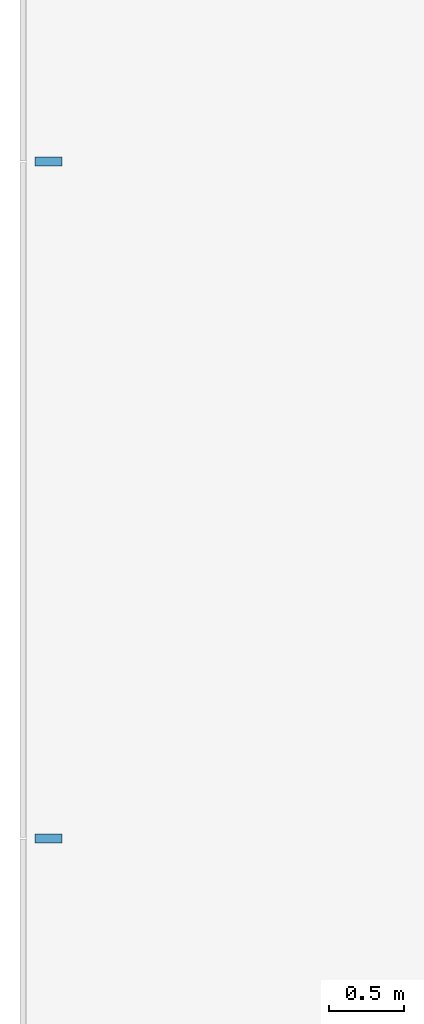
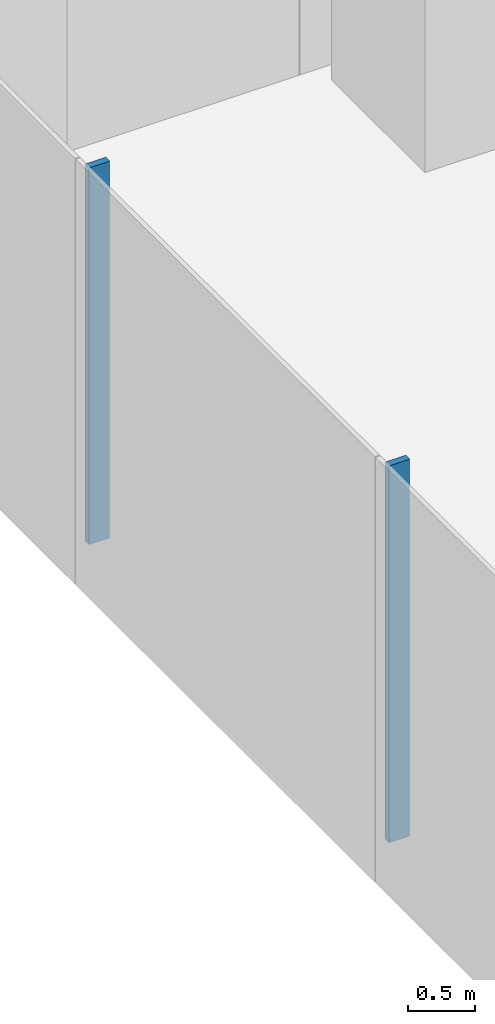
# One storey, part 4 of 21: 2 members, 1 element without a shape of its own.
"""IFC4 building model written with IfcOpenShell, lengths in metres."""

from ifc_helpers import new_model, si_unit, direction, frame, origin, origin_2d, place, context, subcontext, project, spatial, rectangle, extrude, material, layer, layer_set, material_profile, profile_set, type_object, element, aggregate, save


model = new_model("IFC4")

# Units and contexts
model_context = context("Model", 3, precision=1e-05, world=origin(), true_north=direction((0.0, 1.0)))
body_context = subcontext(model_context, "Body", "Model", "MODEL_VIEW")
ifc_project = project(units=[si_unit("LENGTHUNIT", "METRE"), si_unit("AREAUNIT", "SQUARE_METRE"), si_unit("VOLUMEUNIT", "CUBIC_METRE"), si_unit("PLANEANGLEUNIT", "RADIAN"), si_unit("MASSUNIT", "GRAM", prefix="KILO")], contexts=[model_context])

# Site, building, storey
site_placement = place(None, origin())
site = spatial("IfcSite", under=ifc_project, at=site_placement, CompositionType="ELEMENT")
building_placement = place(site_placement, origin())
building = spatial("IfcBuilding", under=site, at=building_placement, Name="Shamsa Quay Exchange Towers", CompositionType="ELEMENT")
storey_placement = place(building_placement, frame((0.0, 0.0, 61.5)))
storey = spatial("IfcBuildingStorey", under=building, at=storey_placement, Name="L13", CompositionType="ELEMENT", Elevation=61.5)

# Curtain wall, members
ifc_material = material(Name="Aluminium EN AW-6063 T6, black anodised", Category="aluminium")
ifc_layer = layer(ifc_material, 0.280029296875)
ifc_layer_set = layer_set([ifc_layer], Name="CW-1 UNITISED VISION GLASS")
curtain_wall_type = type_object("IfcCurtainWallType", Name="CW-1 UNITISED VISION GLASS", PredefinedType="NOTDEFINED", material=ifc_layer_set)
curtain_wall_placement = place(storey_placement, origin())
curtain_wall = element("IfcCurtainWall", 1, at=curtain_wall_placement, inside=storey, type_object=curtain_wall_type, Name="CW1 T1-END-U- L13", PredefinedType="NOTDEFINED")
ifc_material_profile = material_profile(ifc_material, rectangle(XDim=0.179931640625, YDim=0.06005859375, at=origin_2d()), Name="MU60x180")
ifc_profile_set = profile_set([ifc_material_profile], Name="Aluminium EN AW-6063 T6, black anodised")
member_type = type_object("IfcMemberType", Name="CW1 MULLION 60x180", PredefinedType="MULLION", material=ifc_profile_set)
member_1_placement = place(storey_placement, frame((-62.85009765625, 2.25, 0.0)))
member_1 = element("IfcMember", 2, at=member_1_placement, type_object=member_type, Name="CW1 mullion", PredefinedType="MULLION", context=body_context, shape_type="SweptSolid", body=[
    extrude(rectangle(XDim=0.179931640625, YDim=0.06005859375, at=origin_2d()), origin(), (0.0, 0.0, 1.0), 3.449951171875),
])
member_2_placement = place(storey_placement, frame((-62.85009765625, -2.25, 0.0)))
member_2 = element("IfcMember", 3, at=member_2_placement, type_object=member_type, Name="CW1 mullion", PredefinedType="MULLION", context=body_context, shape_type="SweptSolid", body=[
    extrude(rectangle(XDim=0.179931640625, YDim=0.06005859375, at=origin_2d()), origin(), (0.0, 0.0, 1.0), 3.449951171875),
])
aggregate(curtain_wall, [member_1, member_2])

save(model, "model.ifc")
